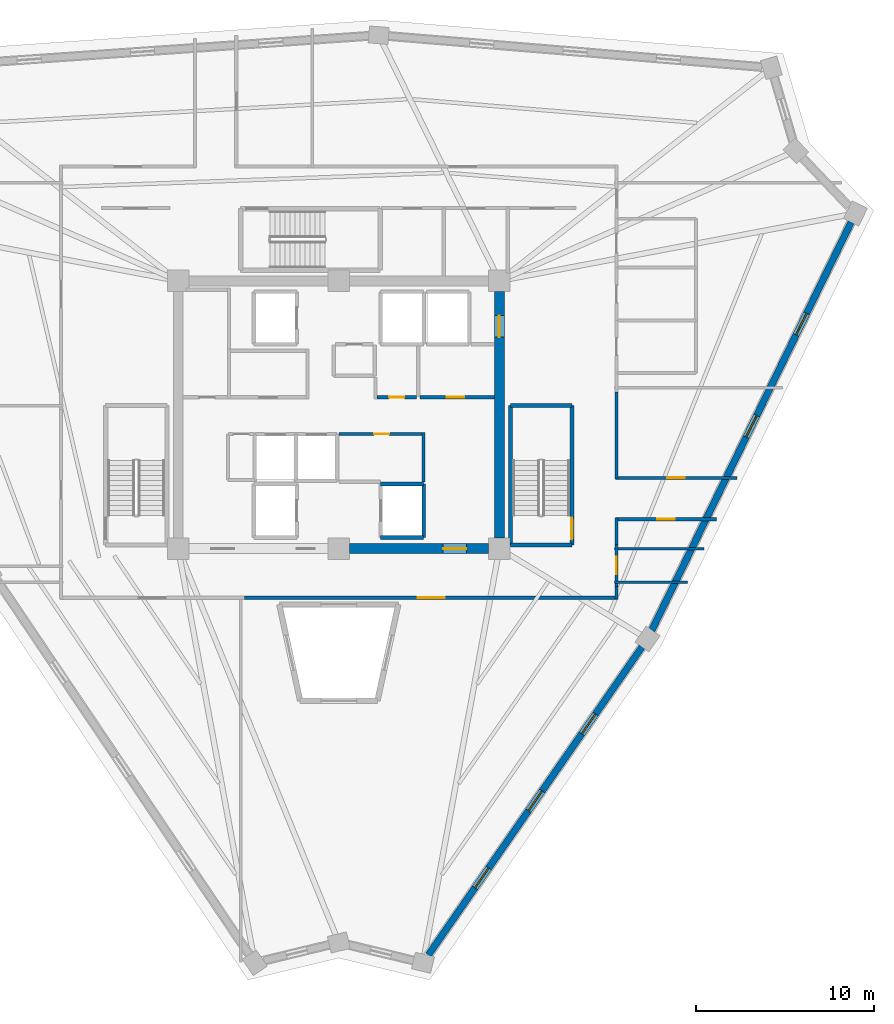
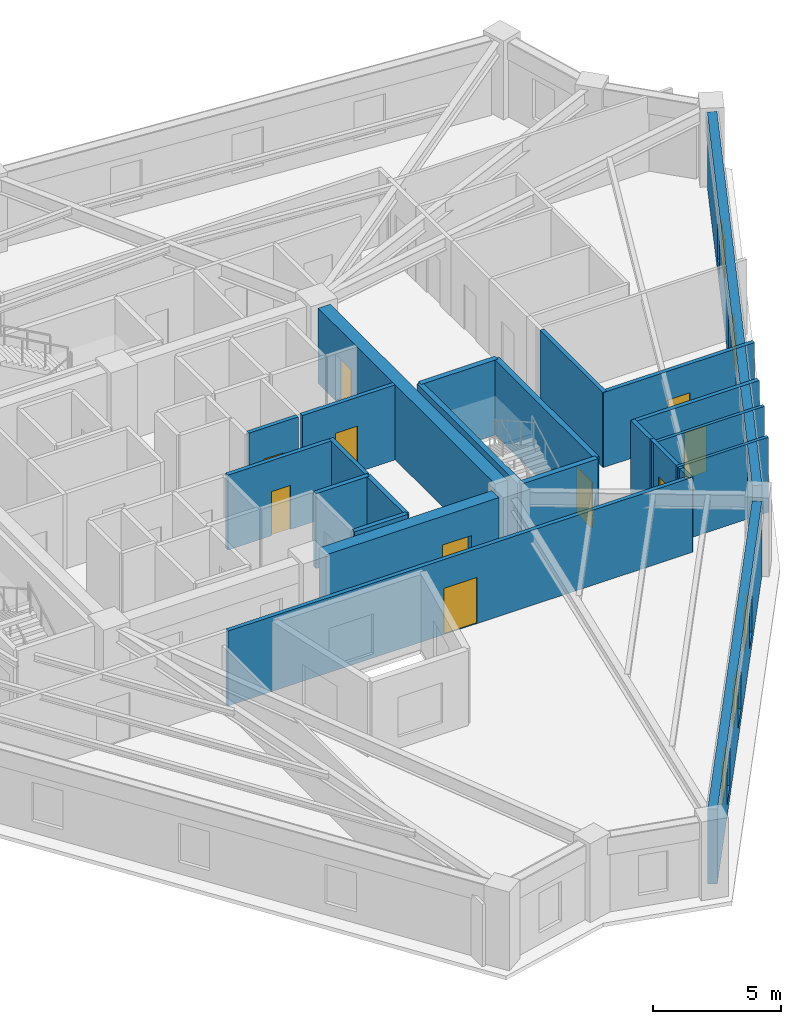
# One storey, part 4 of 8: 24 walls, 10 doors, 5 windows, 15 openings.
"""IFC4 building model written with IfcOpenShell, lengths in metres."""

from ifc_helpers import new_model, si_unit, direction, frame, frame_2d, origin, place, context, subcontext, project, spatial, rectangle, extrude, source, transform, mapped, material, layer, layer_set, type_object, element, fill, save


model = new_model("IFC4")

# Units and contexts
model_context = context("Model", 3, precision=1e-05, world=origin(), true_north=direction((0.0, 1.0)))
body_context = subcontext(model_context, "Body", "Model", "MODEL_VIEW")
ifc_project = project(units=[si_unit("LENGTHUNIT", "METRE"), si_unit("AREAUNIT", "SQUARE_METRE"), si_unit("VOLUMEUNIT", "CUBIC_METRE"), si_unit("PLANEANGLEUNIT", "RADIAN"), si_unit("MASSUNIT", "GRAM", prefix="KILO")], contexts=[model_context])

# Site, building, storey
site_placement = place(None, origin())
site = spatial("IfcSite", under=ifc_project, at=site_placement, CompositionType="ELEMENT")
building_placement = place(site_placement, origin())
building = spatial("IfcBuilding", under=site, at=building_placement, Name="Liaohun Quay Tower", CompositionType="ELEMENT")
storey_placement = place(building_placement, frame((0.0, 0.0, 343.5)))
storey = spatial("IfcBuildingStorey", under=building, at=storey_placement, Name="L89", CompositionType="ELEMENT", Elevation=343.5)

# Wall, opening, door
ifc_material_1 = material(Name="Concrete C50", Category="concrete")
ifc_layer_1 = layer(ifc_material_1, 0.550048828125, Name="Concrete C50", Category="concrete")
ifc_layer_set_1 = layer_set([ifc_layer_1], Name="Concrete C50")
wall_type_1 = type_object("IfcWallType", Name="WAL-COR-Z4", PredefinedType="SHEAR", material=ifc_layer_set_1)
wall_1_placement = place(storey_placement, frame((69.0, 60.89990234375, 0.0), z_axis=(0.0, 0.0, 1.0), x_axis=(0.0, -1.0, 0.0)))
wall_1 = element("IfcWall", 1, at=wall_1_placement, inside=storey, type_object=wall_type_1, Name="L89 Central Core Shear Wall E", PredefinedType="SHEAR", context=body_context, shape_type="SweptSolid", body=[
    extrude(rectangle(XDim=13.7998046875, YDim=0.550048828125, at=frame_2d((6.89990234375, 0.0))), origin(), (0.0, 0.0, 1.0), 3.570068359375),
])
shared_shape_1 = source(origin(), body_context, "Body", "SweptSolid", [
    extrude(rectangle(XDim=1.199951171875, YDim=2.199951171875, at=frame_2d((0.60009765625, 1.10009765625))), frame((0.0, 0.284912109375, 0.0), z_axis=(0.0, -1.0, 0.0), x_axis=(1.0, 0.0, 0.0)), (0.0, 0.0, 1.0), 0.570068359375),
])
opening_1_placement = place(wall_1_placement, frame((1.35009765625, 0.0, 0.0)))
opening_1 = element("IfcOpeningElement", 2, at=opening_1_placement, cuts=wall_1, Name="Opening SD1", PredefinedType="OPENING", context=body_context, shape_type="MappedRepresentation", body=[
    mapped(shared_shape_1, transform((0.0, 0.0, 0.0), x_axis=(1.0, 0.0, 0.0), y_axis=(0.0, 1.0, 0.0), z_axis=(0.0, 0.0, 1.0), scale=1.0)),
])
ifc_material_2 = material(Name="Galvanised steel fire door", Category="steel")
door_type_1 = type_object("IfcDoorType", Name="DOR-STR-1200", OperationType="NOTDEFINED", PredefinedType="DOOR", material=ifc_material_2)
shared_shape_2 = source(origin(), body_context, "Body", "SweptSolid", [
    extrude(rectangle(XDim=1.199951171875, YDim=2.199951171875, at=frame_2d((0.60009765625, 1.10009765625))), frame((0.0, 0.02490234375, 0.0), z_axis=(0.0, -1.0, 0.0), x_axis=(1.0, 0.0, 0.0)), (0.0, 0.0, 1.0), 0.050048828125),
])
door_1_placement = place(opening_1_placement, origin())
door_1 = element("IfcDoor", 3, at=door_1_placement, inside=storey, type_object=door_type_1, Name="L89 North-East Core Lobby Smokeproof Door", OperationType="SINGLE_SWING_LEFT", OverallHeight=2.199951171875, OverallWidth=1.199951171875, PredefinedType="DOOR", context=body_context, shape_type="MappedRepresentation", body=[
    mapped(shared_shape_2, transform((0.0, 0.0, 0.0), x_axis=(1.0, 0.0, 0.0), y_axis=(0.0, 1.0, 0.0), z_axis=(0.0, 0.0, 1.0), scale=1.0)),
])
fill(opening_1, door_1)

wall_2_placement = place(storey_placement, frame((68.39990234375, 46.5, 0.0), z_axis=(0.0, 0.0, 1.0), x_axis=(-1.0, 0.0, 0.0)))
wall_2 = element("IfcWall", 4, at=wall_2_placement, inside=storey, type_object=wall_type_1, Name="L89 Central Core Shear Wall S-E", PredefinedType="SHEAR", context=body_context, shape_type="SweptSolid", body=[
    extrude(rectangle(XDim=7.7998046875, YDim=0.550048828125, at=frame_2d((3.89990234375, 0.0))), origin(), (0.0, 0.0, 1.0), 3.570068359375),
])
shared_shape_3 = source(origin(), body_context, "Body", "SweptSolid", [
    extrude(rectangle(XDim=1.300048828125, YDim=2.199951171875, at=frame_2d((0.64990234375, 1.10009765625))), frame((0.0, 0.284912109375, 0.0), z_axis=(0.0, -1.0, 0.0), x_axis=(1.0, 0.0, 0.0)), (0.0, 0.0, 1.0), 0.570068359375),
])
opening_2_placement = place(wall_2_placement, frame((1.25, 0.0, 0.0)))
opening_2 = element("IfcOpeningElement", 5, at=opening_2_placement, cuts=wall_2, Name="Opening FD1", PredefinedType="OPENING", context=body_context, shape_type="MappedRepresentation", body=[
    mapped(shared_shape_3, transform((0.0, 0.0, 0.0), x_axis=(1.0, 0.0, 0.0), y_axis=(0.0, 1.0, 0.0), z_axis=(0.0, 0.0, 1.0), scale=1.0)),
])
ifc_material_3 = material(Name="Galvanised steel smokeproof fire door", Category="steel")
door_type_2 = type_object("IfcDoorType", Name="DOR-FFL-1300", OperationType="NOTDEFINED", PredefinedType="DOOR", material=ifc_material_3)
shared_shape_4 = source(origin(), body_context, "Body", "SweptSolid", [
    extrude(rectangle(XDim=1.300048828125, YDim=2.199951171875, at=frame_2d((0.64990234375, 1.10009765625))), frame((0.0, 0.02490234375, 0.0), z_axis=(0.0, -1.0, 0.0), x_axis=(1.0, 0.0, 0.0)), (0.0, 0.0, 1.0), 0.050048828125),
])
door_2_placement = place(opening_2_placement, origin())
door_2 = element("IfcDoor", 6, at=door_2_placement, inside=storey, type_object=door_type_2, Name="L89 East Core Lift Lobby Smokeproof Door", OperationType="SINGLE_SWING_LEFT", OverallHeight=2.199951171875, OverallWidth=1.300048828125, PredefinedType="DOOR", context=body_context, shape_type="MappedRepresentation", body=[
    mapped(shared_shape_4, transform((0.0, 0.0, 0.0), x_axis=(1.0, 0.0, 0.0), y_axis=(0.0, 1.0, 0.0), z_axis=(0.0, 0.0, 1.0), scale=1.0)),
])
fill(opening_2, door_2)

# Wall, openings, windows
ifc_material_4 = material(Name="Precast concrete C50 insulated sandwich", Category="concrete")
ifc_layer_2 = layer(ifc_material_4, 0.3798828125, Name="Precast concrete C50 insulated sandwich", Category="concrete")
ifc_layer_set_2 = layer_set([ifc_layer_2], Name="Precast concrete C50 insulated sandwich")
wall_type_2 = type_object("IfcWallType", Name="WAL-EXT-Z34", PredefinedType="SOLIDWALL", material=ifc_layer_set_2)
wall_3_placement = place(storey_placement, frame((65.02294921875, 23.736083984375, 0.0), z_axis=(0.0, 0.0, 1.0), x_axis=(0.569887562459, 0.821722682025, 0.0)))
wall_3 = element("IfcWall", 7, at=wall_3_placement, inside=storey, type_object=wall_type_2, Name="L89 Brutalist Precast Pier Wall 02", PredefinedType="SOLIDWALL", context=body_context, shape_type="SweptSolid", body=[
    extrude(rectangle(XDim=20.997314453125, YDim=0.3798828125, at=frame_2d((10.49853515625, 0.0))), origin(), (0.0, 0.0, 1.0), 3.570068359375),
])
shared_shape_5 = source(origin(), body_context, "Body", "SweptSolid", [
    extrude(rectangle(XDim=1.35009765625, YDim=1.85009765625, at=frame_2d((0.675048828125, 0.925048828125))), frame((0.0, 0.199951171875, 0.0), z_axis=(0.0, -1.0, 0.0), x_axis=(1.0, 0.0, 0.0)), (0.0, 0.0, 1.0), 0.39990234375),
])
opening_3_placement = place(wall_3_placement, frame((4.573974609375, 0.0, 0.550048828125)))
opening_3 = element("IfcOpeningElement", 8, at=opening_3_placement, cuts=wall_3, Name="Opening W04", PredefinedType="OPENING", context=body_context, shape_type="MappedRepresentation", body=[
    mapped(shared_shape_5, transform((0.0, 0.0, 0.0), x_axis=(1.0, 0.0, 0.0), y_axis=(0.0, 1.0, 0.0), z_axis=(0.0, 0.0, 1.0), scale=1.0)),
])
opening_4_placement = place(wall_3_placement, frame((9.823974609375, 0.0, 0.550048828125)))
opening_4 = element("IfcOpeningElement", 9, at=opening_4_placement, cuts=wall_3, Name="Opening W04", PredefinedType="OPENING", context=body_context, shape_type="MappedRepresentation", body=[
    mapped(shared_shape_5, transform((0.0, 0.0, 0.0), x_axis=(1.0, 0.0, 0.0), y_axis=(0.0, 1.0, 0.0), z_axis=(0.0, 0.0, 1.0), scale=1.0)),
])
opening_5_placement = place(wall_3_placement, frame((15.072998046875, 0.0, 0.550048828125)))
opening_5 = element("IfcOpeningElement", 10, at=opening_5_placement, cuts=wall_3, Name="Opening W04", PredefinedType="OPENING", context=body_context, shape_type="MappedRepresentation", body=[
    mapped(shared_shape_5, transform((0.0, 0.0, 0.0), x_axis=(1.0, 0.0, 0.0), y_axis=(0.0, 1.0, 0.0), z_axis=(0.0, 0.0, 1.0), scale=1.0)),
])
ifc_material_5 = material(Name="Triple Low-E argon glazing in thermally broken aluminium", Category="aluminium")
window_type = type_object("IfcWindowType", Name="WIN-PUN-Z4", PartitioningType="SINGLE_PANEL", PredefinedType="WINDOW", material=ifc_material_5)
shared_shape_6 = source(origin(), body_context, "Body", "SweptSolid", [
    extrude(rectangle(XDim=1.35009765625, YDim=1.85009765625, at=frame_2d((0.675048828125, 0.925048828125))), frame((0.0, 0.030029296875, 0.0), z_axis=(0.0, -1.0, 0.0), x_axis=(1.0, 0.0, 0.0)), (0.0, 0.0, 1.0), 0.06005859375),
])
window_1_placement = place(opening_3_placement, origin())
window_1 = element("IfcWindow", 11, at=window_1_placement, inside=storey, type_object=window_type, Name="L89 Recessed Cold-Climate Punched Window 02-1", OverallHeight=1.85009765625, OverallWidth=1.35009765625, PartitioningType="SINGLE_PANEL", PredefinedType="WINDOW", context=body_context, shape_type="MappedRepresentation", body=[
    mapped(shared_shape_6, transform((0.0, 0.0, 0.0), x_axis=(1.0, 0.0, 0.0), y_axis=(0.0, 1.0, 0.0), z_axis=(0.0, 0.0, 1.0), scale=1.0)),
])
fill(opening_3, window_1)
window_2_placement = place(opening_4_placement, origin())
window_2 = element("IfcWindow", 12, at=window_2_placement, inside=storey, type_object=window_type, Name="L89 Recessed Cold-Climate Punched Window 02-2", OverallHeight=1.85009765625, OverallWidth=1.35009765625, PartitioningType="SINGLE_PANEL", PredefinedType="WINDOW", context=body_context, shape_type="MappedRepresentation", body=[
    mapped(shared_shape_6, transform((0.0, 0.0, 0.0), x_axis=(1.0, 0.0, 0.0), y_axis=(0.0, 1.0, 0.0), z_axis=(0.0, 0.0, 1.0), scale=1.0)),
])
fill(opening_4, window_2)
window_3_placement = place(opening_5_placement, origin())
window_3 = element("IfcWindow", 13, at=window_3_placement, inside=storey, type_object=window_type, Name="L89 Recessed Cold-Climate Punched Window 02-3", OverallHeight=1.85009765625, OverallWidth=1.35009765625, PartitioningType="SINGLE_PANEL", PredefinedType="WINDOW", context=body_context, shape_type="MappedRepresentation", body=[
    mapped(shared_shape_6, transform((0.0, 0.0, 0.0), x_axis=(1.0, 0.0, 0.0), y_axis=(0.0, 1.0, 0.0), z_axis=(0.0, 0.0, 1.0), scale=1.0)),
])
fill(opening_5, window_3)

wall_4_placement = place(storey_placement, frame((77.533935546875, 41.9189453125, 0.0), z_axis=(0.0, 0.0, 1.0), x_axis=(0.438992867409, 0.898490546619, 0.0)))
wall_4 = element("IfcWall", 14, at=wall_4_placement, inside=storey, type_object=wall_type_2, Name="L89 Brutalist Precast Pier Wall 03", PredefinedType="SOLIDWALL", context=body_context, shape_type="SweptSolid", body=[
    extrude(rectangle(XDim=25.4560546875, YDim=0.3798828125, at=frame_2d((12.72802734375, 0.0))), origin(), (0.0, 0.0, 1.0), 3.570068359375),
])
opening_6_placement = place(wall_4_placement, frame((12.052978515625, 0.0, 0.550048828125)))
opening_6 = element("IfcOpeningElement", 15, at=opening_6_placement, cuts=wall_4, Name="Opening W04", PredefinedType="OPENING", context=body_context, shape_type="MappedRepresentation", body=[
    mapped(shared_shape_5, transform((0.0, 0.0, 0.0), x_axis=(1.0, 0.0, 0.0), y_axis=(0.0, 1.0, 0.0), z_axis=(0.0, 0.0, 1.0), scale=1.0)),
])
opening_7_placement = place(wall_4_placement, frame((18.4169921875, 0.0, 0.550048828125)))
opening_7 = element("IfcOpeningElement", 16, at=opening_7_placement, cuts=wall_4, Name="Opening W04", PredefinedType="OPENING", context=body_context, shape_type="MappedRepresentation", body=[
    mapped(shared_shape_5, transform((0.0, 0.0, 0.0), x_axis=(1.0, 0.0, 0.0), y_axis=(0.0, 1.0, 0.0), z_axis=(0.0, 0.0, 1.0), scale=1.0)),
])
window_4_placement = place(opening_6_placement, origin())
window_4 = element("IfcWindow", 17, at=window_4_placement, inside=storey, type_object=window_type, Name="L89 Recessed Cold-Climate Punched Window 03-2", OverallHeight=1.85009765625, OverallWidth=1.35009765625, PartitioningType="SINGLE_PANEL", PredefinedType="WINDOW", context=body_context, shape_type="MappedRepresentation", body=[
    mapped(shared_shape_6, transform((0.0, 0.0, 0.0), x_axis=(1.0, 0.0, 0.0), y_axis=(0.0, 1.0, 0.0), z_axis=(0.0, 0.0, 1.0), scale=1.0)),
])
fill(opening_6, window_4)
window_5_placement = place(opening_7_placement, origin())
window_5 = element("IfcWindow", 18, at=window_5_placement, inside=storey, type_object=window_type, Name="L89 Recessed Cold-Climate Punched Window 03-3", OverallHeight=1.85009765625, OverallWidth=1.35009765625, PartitioningType="SINGLE_PANEL", PredefinedType="WINDOW", context=body_context, shape_type="MappedRepresentation", body=[
    mapped(shared_shape_6, transform((0.0, 0.0, 0.0), x_axis=(1.0, 0.0, 0.0), y_axis=(0.0, 1.0, 0.0), z_axis=(0.0, 0.0, 1.0), scale=1.0)),
])
fill(opening_7, window_5)

# Wall, opening, door
ifc_material_6 = material(Name="Autoclaved aerated concrete blockwork", Category="masonry")
ifc_layer_3 = layer(ifc_material_6, 0.179931640625, Name="Autoclaved aerated concrete blockwork", Category="masonry")
ifc_layer_set_3 = layer_set([ifc_layer_3], Name="Autoclaved aerated concrete blockwork")
wall_type_3 = type_object("IfcWallType", Name="WAL-PRT-COR", PredefinedType="PARTITIONING", material=ifc_layer_set_3)
wall_5_placement = place(storey_placement, frame((60.0, 52.919921875, 0.0), z_axis=(0.0, 0.0, 1.0), x_axis=(1.0, 0.0, 0.0)))
wall_5 = element("IfcWall", 19, at=wall_5_placement, inside=storey, type_object=wall_type_3, Name="L89 Interior Partition Wall 001", PredefinedType="PARTITIONING", context=body_context, shape_type="SweptSolid", body=[
    extrude(rectangle(XDim=4.659912109375, YDim=0.179931640625, at=frame_2d((2.330078125, 0.0))), origin(), (0.0, 0.0, 1.0), 3.570068359375),
])
shared_shape_7 = source(origin(), body_context, "Body", "SweptSolid", [
    extrude(rectangle(XDim=0.85009765625, YDim=2.10009765625, at=frame_2d((0.425048828125, 1.050048828125))), frame((0.0, 0.099853515625, 0.0), z_axis=(0.0, -1.0, 0.0), x_axis=(1.0, 0.0, 0.0)), (0.0, 0.0, 1.0), 0.199951171875),
])
opening_8_placement = place(wall_5_placement, frame((1.97509765625, 0.0, 0.0)))
opening_8 = element("IfcOpeningElement", 20, at=opening_8_placement, cuts=wall_5, Name="Opening AD1", PredefinedType="OPENING", context=body_context, shape_type="MappedRepresentation", body=[
    mapped(shared_shape_7, transform((0.0, 0.0, 0.0), x_axis=(1.0, 0.0, 0.0), y_axis=(0.0, 1.0, 0.0), z_axis=(0.0, 0.0, 1.0), scale=1.0)),
])
ifc_material_7 = material(Name="Steel riser inspection fire door", Category="steel")
door_type_3 = type_object("IfcDoorType", Name="DOR-SHF-850", OperationType="NOTDEFINED", PredefinedType="DOOR", material=ifc_material_7)
shared_shape_8 = source(origin(), body_context, "Body", "SweptSolid", [
    extrude(rectangle(XDim=0.85009765625, YDim=2.10009765625, at=frame_2d((0.425048828125, 1.050048828125))), frame((0.0, 0.02490234375, 0.0), z_axis=(0.0, -1.0, 0.0), x_axis=(1.0, 0.0, 0.0)), (0.0, 0.0, 1.0), 0.050048828125),
])
door_3_placement = place(opening_8_placement, origin())
door_3 = element("IfcDoor", 21, at=door_3_placement, inside=storey, type_object=door_type_3, Name="L89 Core High-Zone BMS and Switch Room Door", OperationType="SINGLE_SWING_LEFT", OverallHeight=2.10009765625, OverallWidth=0.85009765625, PredefinedType="DOOR", context=body_context, shape_type="MappedRepresentation", body=[
    mapped(shared_shape_8, transform((0.0, 0.0, 0.0), x_axis=(1.0, 0.0, 0.0), y_axis=(0.0, 1.0, 0.0), z_axis=(0.0, 0.0, 1.0), scale=1.0)),
])
fill(opening_8, door_3)

wall_6_placement = place(storey_placement, frame((62.139892578125, 54.97998046875, 0.0), z_axis=(0.0, 0.0, 1.0), x_axis=(1.0, 0.0, 0.0)))
wall_6 = element("IfcWall", 22, at=wall_6_placement, inside=storey, type_object=wall_type_3, Name="L89 Interior Partition Wall 004", PredefinedType="PARTITIONING", context=body_context, shape_type="SweptSolid", body=[
    extrude(rectangle(XDim=2.22021484375, YDim=0.179931640625, at=frame_2d((1.110107421875, 0.0))), origin(), (0.0, 0.0, 1.0), 3.570068359375),
])
opening_9_placement = place(wall_6_placement, frame((0.68505859375, 0.0, 0.0)))
opening_9 = element("IfcOpeningElement", 23, at=opening_9_placement, cuts=wall_6, Name="Opening AD1", PredefinedType="OPENING", context=body_context, shape_type="MappedRepresentation", body=[
    mapped(shared_shape_7, transform((0.0, 0.0, 0.0), x_axis=(1.0, 0.0, 0.0), y_axis=(0.0, 1.0, 0.0), z_axis=(0.0, 0.0, 1.0), scale=1.0)),
])
door_4_placement = place(opening_9_placement, origin())
door_4 = element("IfcDoor", 24, at=door_4_placement, inside=storey, type_object=door_type_3, Name="L89 Core Cleaner Store Door", OperationType="SINGLE_SWING_RIGHT", OverallHeight=2.10009765625, OverallWidth=0.85009765625, PredefinedType="DOOR", context=body_context, shape_type="MappedRepresentation", body=[
    mapped(shared_shape_8, transform((0.0, 0.0, 0.0), x_axis=(1.0, 0.0, 0.0), y_axis=(0.0, 1.0, 0.0), z_axis=(0.0, 0.0, 1.0), scale=1.0)),
])
fill(opening_9, door_4)

wall_7_placement = place(storey_placement, frame((64.5400390625, 54.97998046875, 0.0), z_axis=(0.0, 0.0, 1.0), x_axis=(1.0, 0.0, 0.0)))
wall_7 = element("IfcWall", 25, at=wall_7_placement, inside=storey, type_object=wall_type_3, Name="L89 Interior Partition Wall 005", PredefinedType="PARTITIONING", context=body_context, shape_type="SweptSolid", body=[
    extrude(rectangle(XDim=4.18505859375, YDim=0.179931640625, at=frame_2d((2.092529296875, 0.0))), origin(), (0.0, 0.0, 1.0), 3.570068359375),
])
shared_shape_9 = source(origin(), body_context, "Body", "SweptSolid", [
    extrude(rectangle(XDim=1.0, YDim=2.199951171875, at=frame_2d((0.5, 1.10009765625))), frame((0.0, 0.099853515625, 0.0), z_axis=(0.0, -1.0, 0.0), x_axis=(1.0, 0.0, 0.0)), (0.0, 0.0, 1.0), 0.199951171875),
])
opening_10_placement = place(wall_7_placement, frame((1.4951171875, 0.0, 0.0)))
opening_10 = element("IfcOpeningElement", 26, at=opening_10_placement, cuts=wall_7, Name="Opening OD1", PredefinedType="OPENING", context=body_context, shape_type="MappedRepresentation", body=[
    mapped(shared_shape_9, transform((0.0, 0.0, 0.0), x_axis=(1.0, 0.0, 0.0), y_axis=(0.0, 1.0, 0.0), z_axis=(0.0, 0.0, 1.0), scale=1.0)),
])
ifc_material_8 = material(Name="Solid-core oak veneer timber leaf in steel frame", Category="steel")
door_type_4 = type_object("IfcDoorType", Name="DOR-OFF-1000", OperationType="NOTDEFINED", PredefinedType="DOOR", material=ifc_material_8)
shared_shape_10 = source(origin(), body_context, "Body", "SweptSolid", [
    extrude(rectangle(XDim=1.0, YDim=2.199951171875, at=frame_2d((0.5, 1.10009765625))), frame((0.0, 0.02490234375, 0.0), z_axis=(0.0, -1.0, 0.0), x_axis=(1.0, 0.0, 0.0)), (0.0, 0.0, 1.0), 0.050048828125),
])
door_5_placement = place(opening_10_placement, origin())
door_5 = element("IfcDoor", 27, at=door_5_placement, inside=storey, type_object=door_type_4, Name="L89 Core High-Zone Pantry Room Door", OperationType="SINGLE_SWING_LEFT", OverallHeight=2.199951171875, OverallWidth=1.0, PredefinedType="DOOR", context=body_context, shape_type="MappedRepresentation", body=[
    mapped(shared_shape_10, transform((0.0, 0.0, 0.0), x_axis=(1.0, 0.0, 0.0), y_axis=(0.0, 1.0, 0.0), z_axis=(0.0, 0.0, 1.0), scale=1.0)),
])
fill(opening_10, door_5)

wall_8_placement = place(storey_placement, frame((75.6298828125, 43.739990234375, 0.0), z_axis=(0.0, 0.0, 1.0), x_axis=(-1.0, 0.0, 0.0)))
wall_8 = element("IfcWall", 28, at=wall_8_placement, inside=storey, type_object=wall_type_3, Name="L89 Interior Partition Wall 022", PredefinedType="PARTITIONING", context=body_context, shape_type="SweptSolid", body=[
    extrude(rectangle(XDim=20.914794921875, YDim=0.179931640625, at=frame_2d((10.45751953125, 0.0))), origin(), (0.0, 0.0, 1.0), 3.570068359375),
])
shared_shape_11 = source(origin(), body_context, "Body", "SweptSolid", [
    extrude(rectangle(XDim=1.5, YDim=2.199951171875, at=frame_2d((0.75, 1.10009765625))), frame((0.0, 0.099853515625, 0.0), z_axis=(0.0, -1.0, 0.0), x_axis=(1.0, 0.0, 0.0)), (0.0, 0.0, 1.0), 0.199951171875),
])
opening_11_placement = place(wall_8_placement, frame((9.70703125, 0.0, 0.0)))
opening_11 = element("IfcOpeningElement", 29, at=opening_11_placement, cuts=wall_8, Name="Opening OD2", PredefinedType="OPENING", context=body_context, shape_type="MappedRepresentation", body=[
    mapped(shared_shape_11, transform((0.0, 0.0, 0.0), x_axis=(1.0, 0.0, 0.0), y_axis=(0.0, 1.0, 0.0), z_axis=(0.0, 0.0, 1.0), scale=1.0)),
])
ifc_material_9 = material(Name="Acoustic oak veneer double door")
door_type_5 = type_object("IfcDoorType", Name="DOR-OFF-1500", OperationType="DOUBLE_DOOR_SINGLE_SWING", PredefinedType="DOOR", material=ifc_material_9)
shared_shape_12 = source(origin(), body_context, "Body", "SweptSolid", [
    extrude(rectangle(XDim=1.5, YDim=2.199951171875, at=frame_2d((0.75, 1.10009765625))), frame((0.0, 0.02490234375, 0.0), z_axis=(0.0, -1.0, 0.0), x_axis=(1.0, 0.0, 0.0)), (0.0, 0.0, 1.0), 0.050048828125),
])
door_6_placement = place(opening_11_placement, origin())
door_6 = element("IfcDoor", 30, at=door_6_placement, inside=storey, type_object=door_type_5, Name="L89 Corporate Exhibition Gallery 08 Door", OperationType="DOUBLE_DOOR_SINGLE_SWING", OverallHeight=2.199951171875, OverallWidth=1.5, PredefinedType="DOOR", context=body_context, shape_type="MappedRepresentation", body=[
    mapped(shared_shape_12, transform((0.0, 0.0, 0.0), x_axis=(1.0, 0.0, 0.0), y_axis=(0.0, 1.0, 0.0), z_axis=(0.0, 0.0, 1.0), scale=1.0)),
])
fill(opening_11, door_6)

wall_9_placement = place(storey_placement, frame((75.56005859375, 46.715087890625, 0.0), z_axis=(0.0, 0.0, 1.0), x_axis=(0.0, -1.0, 0.0)))
wall_9 = element("IfcWall", 31, at=wall_9_placement, inside=storey, type_object=wall_type_3, Name="L89 Interior Partition Wall 023", PredefinedType="PARTITIONING", context=body_context, shape_type="SweptSolid", body=[
    extrude(rectangle(XDim=2.330078125, YDim=0.179931640625, at=frame_2d((1.1650390625, 0.0))), origin(), (0.0, 0.0, 1.0), 3.570068359375),
])
opening_12_placement = place(wall_9_placement, frame((0.6650390625, 0.0, 0.0)))
opening_12 = element("IfcOpeningElement", 32, at=opening_12_placement, cuts=wall_9, Name="Opening OD1", PredefinedType="OPENING", context=body_context, shape_type="MappedRepresentation", body=[
    mapped(shared_shape_9, transform((0.0, 0.0, 0.0), x_axis=(1.0, 0.0, 0.0), y_axis=(0.0, 1.0, 0.0), z_axis=(0.0, 0.0, 1.0), scale=1.0)),
])
door_7_placement = place(opening_12_placement, origin())
door_7 = element("IfcDoor", 33, at=door_7_placement, inside=storey, type_object=door_type_4, Name="L89 Records Archive Store 09 Door", OperationType="SINGLE_SWING_LEFT", OverallHeight=2.199951171875, OverallWidth=1.0, PredefinedType="DOOR", context=body_context, shape_type="MappedRepresentation", body=[
    mapped(shared_shape_10, transform((0.0, 0.0, 0.0), x_axis=(1.0, 0.0, 0.0), y_axis=(0.0, 1.0, 0.0), z_axis=(0.0, 0.0, 1.0), scale=1.0)),
])
fill(opening_12, door_7)

wall_10_placement = place(storey_placement, frame((81.166015625, 48.139892578125, 0.0), z_axis=(0.0, 0.0, 1.0), x_axis=(-1.0, 0.0, 0.0)))
wall_10 = element("IfcWall", 34, at=wall_10_placement, inside=storey, type_object=wall_type_3, Name="L89 Interior Partition Wall 024", PredefinedType="PARTITIONING", context=body_context, shape_type="SweptSolid", body=[
    extrude(rectangle(XDim=5.676025390625, YDim=0.179931640625, at=frame_2d((2.837890625, 0.0))), origin(), (0.0, 0.0, 1.0), 3.570068359375),
])
opening_13_placement = place(wall_10_placement, frame((2.337890625, 0.0, 0.0)))
opening_13 = element("IfcOpeningElement", 35, at=opening_13_placement, cuts=wall_10, Name="Opening OD1", PredefinedType="OPENING", context=body_context, shape_type="MappedRepresentation", body=[
    mapped(shared_shape_9, transform((0.0, 0.0, 0.0), x_axis=(1.0, 0.0, 0.0), y_axis=(0.0, 1.0, 0.0), z_axis=(0.0, 0.0, 1.0), scale=1.0)),
])
door_8_placement = place(opening_13_placement, origin())
door_8 = element("IfcDoor", 36, at=door_8_placement, inside=storey, type_object=door_type_4, Name="L89 Open-Plan Office Workplace 10 Door", OperationType="SINGLE_SWING_RIGHT", OverallHeight=2.199951171875, OverallWidth=1.0, PredefinedType="DOOR", context=body_context, shape_type="MappedRepresentation", body=[
    mapped(shared_shape_10, transform((0.0, 0.0, 0.0), x_axis=(1.0, 0.0, 0.0), y_axis=(0.0, 1.0, 0.0), z_axis=(0.0, 0.0, 1.0), scale=1.0)),
])
fill(opening_13, door_8)

wall_11_placement = place(storey_placement, frame((75.489990234375, 50.4599609375, 0.0), z_axis=(0.0, 0.0, 1.0), x_axis=(1.0, 0.0, 0.0)))
wall_11 = element("IfcWall", 37, at=wall_11_placement, inside=storey, type_object=wall_type_3, Name="L89 Interior Partition Wall 025", PredefinedType="PARTITIONING", context=body_context, shape_type="SweptSolid", body=[
    extrude(rectangle(XDim=6.81005859375, YDim=0.179931640625, at=frame_2d((3.405029296875, 0.0))), origin(), (0.0, 0.0, 1.0), 3.570068359375),
])
opening_14_placement = place(wall_11_placement, frame((2.905029296875, 0.0, 0.0)))
opening_14 = element("IfcOpeningElement", 38, at=opening_14_placement, cuts=wall_11, Name="Opening OD1", PredefinedType="OPENING", context=body_context, shape_type="MappedRepresentation", body=[
    mapped(shared_shape_9, transform((0.0, 0.0, 0.0), x_axis=(1.0, 0.0, 0.0), y_axis=(0.0, 1.0, 0.0), z_axis=(0.0, 0.0, 1.0), scale=1.0)),
])
door_9_placement = place(opening_14_placement, origin())
door_9 = element("IfcDoor", 39, at=door_9_placement, inside=storey, type_object=door_type_4, Name="L89 Executive Partner Office 11 Door", OperationType="SINGLE_SWING_LEFT", OverallHeight=2.199951171875, OverallWidth=1.0, PredefinedType="DOOR", context=body_context, shape_type="MappedRepresentation", body=[
    mapped(shared_shape_10, transform((0.0, 0.0, 0.0), x_axis=(1.0, 0.0, 0.0), y_axis=(0.0, 1.0, 0.0), z_axis=(0.0, 0.0, 1.0), scale=1.0)),
])
fill(opening_14, door_9)

# Walls
wall_12_placement = place(storey_placement, frame((75.56005859375, 44.385009765625, 0.0), z_axis=(0.0, 0.0, 1.0), x_axis=(0.0, -1.0, 0.0)))
element("IfcWall", 40, at=wall_12_placement, inside=storey, type_object=wall_type_3, Name="L89 Interior Partition Wall 045", PredefinedType="PARTITIONING", context=body_context, shape_type="SweptSolid", body=[
    extrude(rectangle(XDim=0.715087890625, YDim=0.179931640625, at=frame_2d((0.357421875, 0.0))), origin(), (0.0, 0.0, 1.0), 3.570068359375),
])
wall_13_placement = place(storey_placement, frame((75.56005859375, 48.2099609375, 0.0), z_axis=(0.0, 0.0, 1.0), x_axis=(0.0, -1.0, 0.0)))
element("IfcWall", 41, at=wall_13_placement, inside=storey, type_object=wall_type_3, Name="L89 Interior Partition Wall 046", PredefinedType="PARTITIONING", context=body_context, shape_type="SweptSolid", body=[
    extrude(rectangle(XDim=1.494873046875, YDim=0.179931640625, at=frame_2d((0.74755859375, 0.0))), origin(), (0.0, 0.0, 1.0), 3.570068359375),
])
wall_14_placement = place(storey_placement, frame((75.56005859375, 55.284912109375, 0.0), z_axis=(0.0, 0.0, 1.0), x_axis=(0.0, -1.0, 0.0)))
element("IfcWall", 42, at=wall_14_placement, inside=storey, type_object=wall_type_3, Name="L89 Interior Partition Wall 047", PredefinedType="PARTITIONING", context=body_context, shape_type="SweptSolid", body=[
    extrude(rectangle(XDim=4.89501953125, YDim=0.179931640625, at=frame_2d((2.447509765625, 0.0))), origin(), (0.0, 0.0, 1.0), 3.570068359375),
])
wall_15_placement = place(storey_placement, frame((64.75, 50.219970703125, 0.0), z_axis=(0.0, 0.0, 1.0), x_axis=(0.0, 1.0, 0.0)))
element("IfcWall", 43, at=wall_15_placement, inside=storey, type_object=wall_type_3, Name="L89 Interior Partition Wall 058", PredefinedType="PARTITIONING", context=body_context, shape_type="SweptSolid", body=[
    extrude(rectangle(XDim=2.7900390625, YDim=0.179931640625, at=frame_2d((1.39501953125, 0.0))), origin(), (0.0, 0.0, 1.0), 3.570068359375),
])
ifc_material_10 = material(Name="Gypsum board on twin steel studs", Category="steel")
ifc_layer_4 = layer(ifc_material_10, 0.139892578125, Name="Gypsum board on twin steel studs", Category="steel")
ifc_layer_set_4 = layer_set([ifc_layer_4], Name="Gypsum board on twin steel studs")
wall_type_4 = type_object("IfcWallType", Name="WAL-PRT-OFF", PredefinedType="PARTITIONING", material=ifc_layer_set_4)
wall_16_placement = place(storey_placement, frame((75.4599609375, 44.60009765625, 0.0), z_axis=(0.0, 0.0, 1.0), x_axis=(1.0, 0.0, 0.0)))
element("IfcWall", 44, at=wall_16_placement, inside=storey, type_object=wall_type_4, Name="L89 Interior Partition Wall 052", PredefinedType="PARTITIONING", context=body_context, shape_type="SweptSolid", body=[
    extrude(rectangle(XDim=4.0849609375, YDim=0.139892578125, at=frame_2d((2.04248046875, 0.0))), origin(), (0.0, 0.0, 1.0), 3.570068359375),
])
wall_17_placement = place(storey_placement, frame((75.4599609375, 46.5, 0.0), z_axis=(0.0, 0.0, 1.0), x_axis=(1.0, 0.0, 0.0)))
element("IfcWall", 45, at=wall_17_placement, inside=storey, type_object=wall_type_4, Name="L89 Interior Partition Wall 053", PredefinedType="PARTITIONING", context=body_context, shape_type="SweptSolid", body=[
    extrude(rectangle(XDim=5.012939453125, YDim=0.139892578125, at=frame_2d((2.50634765625, 0.0))), origin(), (0.0, 0.0, 1.0), 3.570068359375),
])
ifc_layer_5 = layer(ifc_material_1, 0.239990234375, Name="Concrete C50", Category="concrete")
ifc_layer_set_5 = layer_set([ifc_layer_5], Name="Concrete C50")
wall_type_5 = type_object("IfcWallType", Name="WAL-SHF-200", PredefinedType="SOLIDWALL", material=ifc_layer_set_5)
wall_18_placement = place(storey_placement, frame((69.6201171875, 46.699951171875, 0.0), z_axis=(0.0, 0.0, 1.0), x_axis=(1.0, 0.0, 0.0)))
element("IfcWall", 46, at=wall_18_placement, inside=storey, type_object=wall_type_5, Name="L89 Stairwell ST-2 Structural Core Wall S", PredefinedType="SOLIDWALL", context=body_context, shape_type="SweptSolid", body=[
    extrude(rectangle(XDim=3.43994140625, YDim=0.239990234375, at=frame_2d((1.719970703125, 0.0))), origin(), (0.0, 0.0, 1.0), 3.570068359375),
])

# Wall, opening, door
wall_19_placement = place(storey_placement, frame((73.06005859375, 46.699951171875, 0.0), z_axis=(0.0, 0.0, 1.0), x_axis=(0.0, 1.0, 0.0)))
wall_19 = element("IfcWall", 47, at=wall_19_placement, inside=storey, type_object=wall_type_5, Name="L89 Stairwell ST-2 Structural Core Wall E", PredefinedType="SOLIDWALL", context=body_context, shape_type="SweptSolid", body=[
    extrude(rectangle(XDim=7.820068359375, YDim=0.239990234375, at=frame_2d((3.91015625, 0.0))), origin(), (0.0, 0.0, 1.0), 3.570068359375),
])
shared_shape_13 = source(origin(), body_context, "Body", "SweptSolid", [
    extrude(rectangle(XDim=1.199951171875, YDim=2.199951171875, at=frame_2d((0.60009765625, 1.10009765625))), frame((0.0, 0.1298828125, 0.0), z_axis=(0.0, -1.0, 0.0), x_axis=(1.0, 0.0, 0.0)), (0.0, 0.0, 1.0), 0.260009765625),
])
opening_15_placement = place(wall_19_placement, frame((0.320068359375, 0.0, 0.0)))
opening_15 = element("IfcOpeningElement", 48, at=opening_15_placement, cuts=wall_19, Name="Opening SD1", PredefinedType="OPENING", context=body_context, shape_type="MappedRepresentation", body=[
    mapped(shared_shape_13, transform((0.0, 0.0, 0.0), x_axis=(1.0, 0.0, 0.0), y_axis=(0.0, 1.0, 0.0), z_axis=(0.0, 0.0, 1.0), scale=1.0)),
])
door_10_placement = place(opening_15_placement, origin())
door_10 = element("IfcDoor", 49, at=door_10_placement, inside=storey, type_object=door_type_1, Name="L89 Protected Stair ST-2 Fire Door", OperationType="SINGLE_SWING_RIGHT", OverallHeight=2.199951171875, OverallWidth=1.199951171875, PredefinedType="DOOR", context=body_context, shape_type="MappedRepresentation", body=[
    mapped(shared_shape_2, transform((0.0, 0.0, 0.0), x_axis=(1.0, 0.0, 0.0), y_axis=(0.0, 1.0, 0.0), z_axis=(0.0, 0.0, 1.0), scale=1.0)),
])
fill(opening_15, door_10)

# Walls
wall_20_placement = place(storey_placement, frame((73.06005859375, 54.52001953125, 0.0), z_axis=(0.0, 0.0, 1.0), x_axis=(-1.0, 0.0, 0.0)))
element("IfcWall", 50, at=wall_20_placement, inside=storey, type_object=wall_type_5, Name="L89 Stairwell ST-2 Structural Core Wall N", PredefinedType="SOLIDWALL", context=body_context, shape_type="SweptSolid", body=[
    extrude(rectangle(XDim=3.43994140625, YDim=0.239990234375, at=frame_2d((1.719970703125, 0.0))), origin(), (0.0, 0.0, 1.0), 3.570068359375),
])
wall_21_placement = place(storey_placement, frame((69.6201171875, 54.52001953125, 0.0), z_axis=(0.0, 0.0, 1.0), x_axis=(0.0, -1.0, 0.0)))
element("IfcWall", 51, at=wall_21_placement, inside=storey, type_object=wall_type_5, Name="L89 Stairwell ST-2 Structural Core Wall W", PredefinedType="SOLIDWALL", context=body_context, shape_type="SweptSolid", body=[
    extrude(rectangle(XDim=7.820068359375, YDim=0.239990234375, at=frame_2d((3.91015625, 0.0))), origin(), (0.0, 0.0, 1.0), 3.570068359375),
])
wall_22_placement = place(storey_placement, frame((62.35009765625, 47.1201171875, 0.0), z_axis=(0.0, 0.0, 1.0), x_axis=(1.0, 0.0, 0.0)))
element("IfcWall", 52, at=wall_22_placement, inside=storey, type_object=wall_type_5, Name="L89 Lift FF-02 Hoistway Wall S", PredefinedType="SOLIDWALL", context=body_context, shape_type="SweptSolid", body=[
    extrude(rectangle(XDim=2.39990234375, YDim=0.199951171875, at=frame_2d((1.199951171875, 0.0))), origin(), (0.0, 0.0, 1.0), 3.570068359375),
])
wall_23_placement = place(storey_placement, frame((64.75, 47.1201171875, 0.0), z_axis=(0.0, 0.0, 1.0), x_axis=(0.0, 1.0, 0.0)))
element("IfcWall", 53, at=wall_23_placement, inside=storey, type_object=wall_type_5, Name="L89 Lift FF-02 Hoistway Wall E", PredefinedType="SOLIDWALL", context=body_context, shape_type="SweptSolid", body=[
    extrude(rectangle(XDim=3.0, YDim=0.199951171875, at=frame_2d((1.5, 0.0))), origin(), (0.0, 0.0, 1.0), 3.570068359375),
])
wall_24_placement = place(storey_placement, frame((64.75, 50.1201171875, 0.0), z_axis=(0.0, 0.0, 1.0), x_axis=(-1.0, 0.0, 0.0)))
element("IfcWall", 54, at=wall_24_placement, inside=storey, type_object=wall_type_5, Name="L89 Lift FF-02 Hoistway Wall N", PredefinedType="SOLIDWALL", context=body_context, shape_type="SweptSolid", body=[
    extrude(rectangle(XDim=2.39990234375, YDim=0.199951171875, at=frame_2d((1.199951171875, 0.0))), origin(), (0.0, 0.0, 1.0), 3.570068359375),
])

save(model, "model.ifc")
